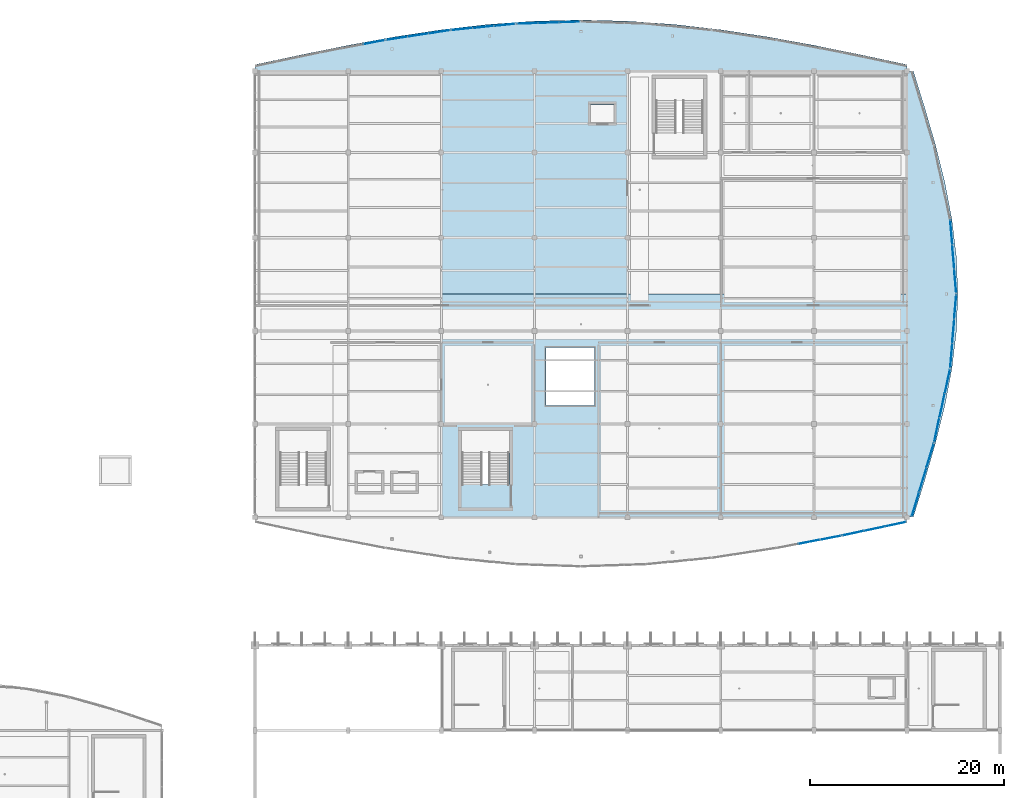
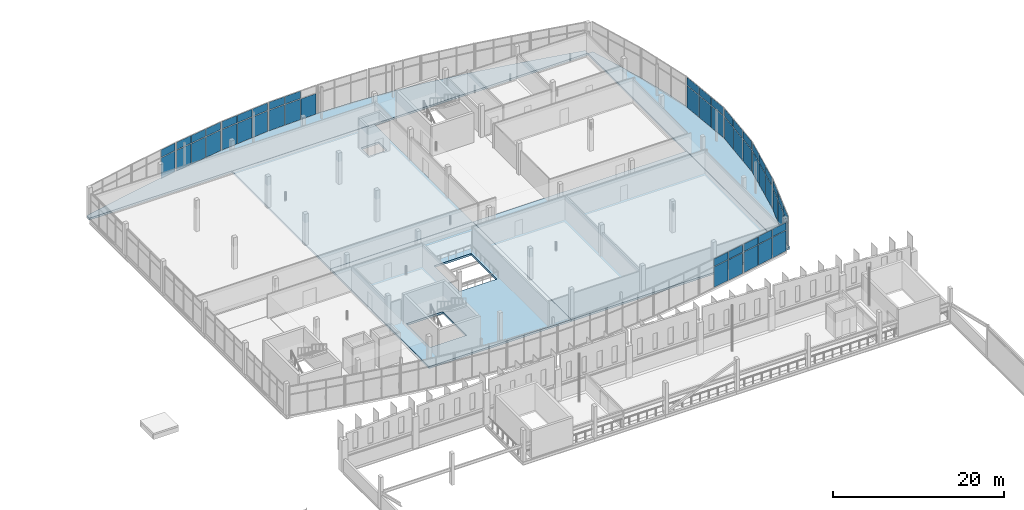
# One storey, part 86 of 114: 53 plates, 5 slabs, 10 elements without a shape of their own.
"""IFC4 building model written with IfcOpenShell, lengths in metres."""

from ifc_helpers import new_model, si_unit, direction, frame, origin, origin_2d, place, context, subcontext, project, spatial, polyline, rectangle, outline, extrude, material, layer, layer_set, type_object, element, aggregate, save


model = new_model("IFC4")

# Units and contexts
model_context = context("Model", 3, precision=1e-05, world=origin(), true_north=direction((0.0, 1.0)))
body_context = subcontext(model_context, "Body", "Model", "MODEL_VIEW")
ifc_project = project(units=[si_unit("LENGTHUNIT", "METRE"), si_unit("AREAUNIT", "SQUARE_METRE"), si_unit("VOLUMEUNIT", "CUBIC_METRE"), si_unit("PLANEANGLEUNIT", "RADIAN"), si_unit("MASSUNIT", "GRAM", prefix="KILO")], contexts=[model_context])

# Site, building, storey
site_placement = place(None, origin())
site = spatial("IfcSite", under=ifc_project, at=site_placement, CompositionType="ELEMENT")
building_placement = place(site_placement, origin())
building = spatial("IfcBuilding", under=site, at=building_placement, Name="Chalmorin Arch Market", CompositionType="ELEMENT")
storey_placement = place(building_placement, frame((0.0, 0.0, 9.60009765625)))
storey = spatial("IfcBuildingStorey", under=building, at=storey_placement, Name="L02", CompositionType="ELEMENT", Elevation=9.60009765625)

# Curtain wall, plate
ifc_material_1 = material(Name="Aluminium 6063-T6", Category="aluminium")
ifc_layer_1 = layer(ifc_material_1, 0.159912109375)
ifc_layer_set_1 = layer_set([ifc_layer_1], Name="Aluminium 6063-T6")
curtain_wall_type_1 = type_object("IfcCurtainWallType", Name="CulinaryStudioCurtainWall-CW3-6660x4220", PredefinedType="NOTDEFINED", material=ifc_layer_set_1)
curtain_wall_1_placement = place(storey_placement, origin())
curtain_wall_1 = element("IfcCurtainWall", 1, at=curtain_wall_1_placement, inside=storey, type_object=curtain_wall_type_1, Name="CW-03-125", PredefinedType="NOTDEFINED")
ifc_material_2 = material(Name="Powder-coated Aluminium Panel", Category="aluminium")
ifc_layer_2 = layer(ifc_material_2, 0.0400390625)
ifc_layer_set_2 = layer_set([ifc_layer_2], Name="Powder-coated Aluminium Panel")
plate_type_1 = type_object("IfcPlateType", Name="ShadowboxSpandrelPanel-40", PredefinedType="CURTAIN_PANEL", material=ifc_layer_set_2)
plate_1_placement = place(storey_placement, frame((60.260986328125, 120.958984375, 3.08349609375), z_axis=(0.0, 0.0, 1.0), x_axis=(0.981627183448, 0.190808995377, 0.0)))
plate_1 = element("IfcPlate", 2, at=plate_1_placement, type_object=plate_type_1, Name="SP-40-125-03B", PredefinedType="CURTAIN_PANEL", context=body_context, shape_type="SweptSolid", body=[
    extrude(rectangle(XDim=2.140380859375, YDim=0.0400390625, at=origin_2d()), origin(), (0.0, 0.0, 1.0), 1.066650390625),
])

# Curtain wall, plates
ifc_layer_3 = layer(ifc_material_1, 0.159912109375)
ifc_layer_set_3 = layer_set([ifc_layer_3], Name="Aluminium 6063-T6")
curtain_wall_type_2 = type_object("IfcCurtainWallType", Name="CulinaryStudioCurtainWall-CW3-6620x4220", PredefinedType="NOTDEFINED", material=ifc_layer_set_3)
curtain_wall_2_placement = place(storey_placement, origin())
curtain_wall_2 = element("IfcCurtainWall", 3, at=curtain_wall_2_placement, inside=storey, type_object=curtain_wall_type_2, Name="CW-03-128", PredefinedType="NOTDEFINED")
plate_2_placement = place(storey_placement, frame((62.619384765625, 121.362548828125, 3.08349609375), z_axis=(0.0, 0.0, 1.0), x_axis=(0.987688340595, 0.15643446504, 0.0)))
plate_2 = element("IfcPlate", 4, at=plate_2_placement, type_object=plate_type_1, Name="SP-40-128-01B", PredefinedType="CURTAIN_PANEL", context=body_context, shape_type="SweptSolid", body=[
    extrude(rectangle(XDim=2.12548828125, YDim=0.0400390625, at=origin_2d()), origin(), (0.0, 0.0, 1.0), 1.066650390625),
])
plate_3_placement = place(storey_placement, frame((64.800048828125, 121.6923828125, 3.08349609375), z_axis=(0.0, 0.0, 1.0), x_axis=(0.987688340595, 0.15643446504, 0.0)))
plate_3 = element("IfcPlate", 5, at=plate_3_placement, type_object=plate_type_1, Name="SP-40-128-02B", PredefinedType="CURTAIN_PANEL", context=body_context, shape_type="SweptSolid", body=[
    extrude(rectangle(XDim=2.12548828125, YDim=0.0400390625, at=origin_2d()), origin(), (0.0, 0.0, 1.0), 1.066650390625),
])
plate_4_placement = place(storey_placement, frame((66.980712890625, 122.0224609375, 3.08349609375), z_axis=(0.0, 0.0, 1.0), x_axis=(0.987688340595, 0.15643446504, 0.0)))
plate_4 = element("IfcPlate", 6, at=plate_4_placement, type_object=plate_type_1, Name="SP-40-128-03B", PredefinedType="CURTAIN_PANEL", context=body_context, shape_type="SweptSolid", body=[
    extrude(rectangle(XDim=2.12548828125, YDim=0.0400390625, at=origin_2d()), origin(), (0.0, 0.0, 1.0), 1.066650390625),
])

ifc_layer_4 = layer(ifc_material_1, 0.159912109375)
ifc_layer_set_4 = layer_set([ifc_layer_4], Name="Aluminium 6063-T6")
curtain_wall_type_3 = type_object("IfcCurtainWallType", Name="CulinaryStudioCurtainWall-CW3-6570x4220", PredefinedType="NOTDEFINED", material=ifc_layer_set_4)
curtain_wall_3_placement = place(storey_placement, origin())
curtain_wall_3 = element("IfcCurtainWall", 7, at=curtain_wall_3_placement, inside=storey, type_object=curtain_wall_type_3, Name="CW-03-131", PredefinedType="NOTDEFINED")
plate_5_placement = place(storey_placement, frame((69.339599609375, 122.31591796875, 3.08349609375), z_axis=(0.0, 0.0, 1.0), x_axis=(0.994521895368, 0.104528463268, 0.0)))
plate_5 = element("IfcPlate", 8, at=plate_5_placement, type_object=plate_type_1, Name="SP-40-131-01B", PredefinedType="CURTAIN_PANEL", context=body_context, shape_type="SweptSolid", body=[
    extrude(rectangle(XDim=2.110595703125, YDim=0.0400390625, at=origin_2d()), origin(), (0.0, 0.0, 1.0), 1.066650390625),
])
plate_6_placement = place(storey_placement, frame((71.52001953125, 122.528076171875, 3.08349609375), z_axis=(0.0, 0.0, 1.0), x_axis=(0.994521895368, 0.104528463268, 0.0)))
plate_6 = element("IfcPlate", 9, at=plate_6_placement, type_object=plate_type_1, Name="SP-40-131-02B", PredefinedType="CURTAIN_PANEL", context=body_context, shape_type="SweptSolid", body=[
    extrude(rectangle(XDim=2.110595703125, YDim=0.0400390625, at=origin_2d()), origin(), (0.0, 0.0, 1.0), 1.066650390625),
])
plate_7_placement = place(storey_placement, frame((73.7001953125, 122.740234375, 3.08349609375), z_axis=(0.0, 0.0, 1.0), x_axis=(0.994521895368, 0.104528463268, 0.0)))
plate_7 = element("IfcPlate", 10, at=plate_7_placement, type_object=plate_type_1, Name="SP-40-131-03B", PredefinedType="CURTAIN_PANEL", context=body_context, shape_type="SweptSolid", body=[
    extrude(rectangle(XDim=2.110595703125, YDim=0.0400390625, at=origin_2d()), origin(), (0.0, 0.0, 1.0), 1.066650390625),
])

ifc_layer_5 = layer(ifc_material_1, 0.159912109375)
ifc_layer_set_5 = layer_set([ifc_layer_5], Name="Aluminium 6063-T6")
curtain_wall_type_4 = type_object("IfcCurtainWallType", Name="CulinaryStudioCurtainWall-CW3-6540x4220", PredefinedType="NOTDEFINED", material=ifc_layer_set_5)
curtain_wall_4_placement = place(storey_placement, origin())
curtain_wall_4 = element("IfcCurtainWall", 11, at=curtain_wall_4_placement, inside=storey, type_object=curtain_wall_type_4, Name="CW-03-134", PredefinedType="NOTDEFINED")
plate_8_placement = place(storey_placement, frame((76.059814453125, 122.89453125, 3.08349609375), z_axis=(0.0, 0.0, 1.0), x_axis=(0.999390827019, 0.034899496703, 0.0)))
plate_8 = element("IfcPlate", 12, at=plate_8_placement, type_object=plate_type_1, Name="SP-40-134-01B", PredefinedType="CURTAIN_PANEL", context=body_context, shape_type="SweptSolid", body=[
    extrude(rectangle(XDim=2.101318359375, YDim=0.0400390625, at=origin_2d()), origin(), (0.0, 0.0, 1.0), 1.066650390625),
])
plate_9_placement = place(storey_placement, frame((78.239990234375, 122.967529296875, 3.08349609375), z_axis=(0.0, 0.0, 1.0), x_axis=(0.999390827019, 0.034899496703, 0.0)))
plate_9 = element("IfcPlate", 13, at=plate_9_placement, type_object=plate_type_1, Name="SP-40-134-02B", PredefinedType="CURTAIN_PANEL", context=body_context, shape_type="SweptSolid", body=[
    extrude(rectangle(XDim=2.101318359375, YDim=0.0400390625, at=origin_2d()), origin(), (0.0, 0.0, 1.0), 1.066650390625),
])

curtain_wall_5_placement = place(storey_placement, origin())
curtain_wall_5 = element("IfcCurtainWall", 14, at=curtain_wall_5_placement, inside=storey, type_object=curtain_wall_type_1, Name="CW-03-175", PredefinedType="NOTDEFINED")
plate_10_placement = place(storey_placement, frame((105.1201171875, 69.45751953125, 3.08349609375), z_axis=(0.0, 0.0, 1.0), x_axis=(0.981627183448, 0.190808995377, 0.0)))
plate_10 = element("IfcPlate", 15, at=plate_10_placement, type_object=plate_type_1, Name="SP-40-175-02B", PredefinedType="CURTAIN_PANEL", context=body_context, shape_type="SweptSolid", body=[
    extrude(rectangle(XDim=2.140380859375, YDim=0.0400390625, at=origin_2d()), origin(), (0.0, 0.0, 1.0), 1.066650390625),
])
plate_11_placement = place(storey_placement, frame((107.301025390625, 69.873779296875, 3.08349609375), z_axis=(0.0, 0.0, 1.0), x_axis=(0.981627183448, 0.190808995377, 0.0)))
plate_11 = element("IfcPlate", 16, at=plate_11_placement, type_object=plate_type_1, Name="SP-40-175-03B", PredefinedType="CURTAIN_PANEL", context=body_context, shape_type="SweptSolid", body=[
    extrude(rectangle(XDim=2.140380859375, YDim=0.0400390625, at=origin_2d()), origin(), (0.0, 0.0, 1.0), 1.066650390625),
])

ifc_layer_6 = layer(ifc_material_1, 0.159912109375)
ifc_layer_set_6 = layer_set([ifc_layer_6], Name="Aluminium 6063-T6")
curtain_wall_type_5 = type_object("IfcCurtainWallType", Name="CulinaryStudioCurtainWall-CW3-6690x4220", PredefinedType="NOTDEFINED", material=ifc_layer_set_6)
curtain_wall_6_placement = place(storey_placement, origin())
curtain_wall_6 = element("IfcCurtainWall", 17, at=curtain_wall_6_placement, inside=storey, type_object=curtain_wall_type_5, Name="CW-03-178", PredefinedType="NOTDEFINED")
plate_12_placement = place(storey_placement, frame((109.65869140625, 70.34814453125, 3.08349609375), z_axis=(0.0, 0.0, 1.0), x_axis=(0.978147600734, 0.207911690818, 0.0)))
plate_12 = element("IfcPlate", 18, at=plate_12_placement, type_object=plate_type_1, Name="SP-40-178-01B", PredefinedType="CURTAIN_PANEL", context=body_context, shape_type="SweptSolid", body=[
    extrude(rectangle(XDim=2.1494140625, YDim=0.0400390625, at=origin_2d()), origin(), (0.0, 0.0, 1.0), 1.066650390625),
])
plate_13_placement = place(storey_placement, frame((111.840087890625, 70.8095703125, 3.08349609375), z_axis=(0.0, 0.0, 1.0), x_axis=(0.978147600734, 0.207911690818, 0.0)))
plate_13 = element("IfcPlate", 19, at=plate_13_placement, type_object=plate_type_1, Name="SP-40-178-02B", PredefinedType="CURTAIN_PANEL", context=body_context, shape_type="SweptSolid", body=[
    extrude(rectangle(XDim=2.1494140625, YDim=0.0400390625, at=origin_2d()), origin(), (0.0, 0.0, 1.0), 1.066650390625),
])
plate_14_placement = place(storey_placement, frame((114.021240234375, 71.270751953125, 3.08349609375), z_axis=(0.0, 0.0, 1.0), x_axis=(0.978147600734, 0.207911690818, 0.0)))
plate_14 = element("IfcPlate", 20, at=plate_14_placement, type_object=plate_type_1, Name="SP-40-178-03B", PredefinedType="CURTAIN_PANEL", context=body_context, shape_type="SweptSolid", body=[
    extrude(rectangle(XDim=2.1494140625, YDim=0.0400390625, at=origin_2d()), origin(), (0.0, 0.0, 1.0), 1.066650390625),
])

ifc_layer_7 = layer(ifc_material_1, 0.159912109375)
ifc_layer_set_7 = layer_set([ifc_layer_7], Name="Aluminium 6063-T6")
curtain_wall_type_6 = type_object("IfcCurtainWallType", Name="CulinaryStudioCurtainWall-CW3-7820x4450", PredefinedType="NOTDEFINED", material=ifc_layer_set_7)
curtain_wall_7_placement = place(storey_placement, origin())
curtain_wall_7 = element("IfcCurtainWall", 21, at=curtain_wall_7_placement, inside=storey, type_object=curtain_wall_type_6, Name="CW-03-180", PredefinedType="NOTDEFINED")
plate_15_placement = place(storey_placement, frame((116.08056640625, 73.335205078125, 3.2490234375), z_axis=(0.0, 0.0, 1.0), x_axis=(0.292371704723, 0.956304755963, 0.0)))
plate_15 = element("IfcPlate", 22, at=plate_15_placement, type_object=plate_type_1, Name="SP-40-180-01B", PredefinedType="CURTAIN_PANEL", context=body_context, shape_type="SweptSolid", body=[
    extrude(rectangle(XDim=2.5283203125, YDim=0.0400390625, at=origin_2d()), origin(), (0.0, 0.0, 1.0), 1.131103515625),
])
plate_16_placement = place(storey_placement, frame((116.830078125, 75.83349609375, 3.2490234375), z_axis=(0.0, 0.0, 1.0), x_axis=(0.292371704723, 0.956304755963, 0.0)))
plate_16 = element("IfcPlate", 23, at=plate_16_placement, type_object=plate_type_1, Name="SP-40-180-02B", PredefinedType="CURTAIN_PANEL", context=body_context, shape_type="SweptSolid", body=[
    extrude(rectangle(XDim=2.5283203125, YDim=0.0400390625, at=origin_2d()), origin(), (0.0, 0.0, 1.0), 1.131103515625),
])
plate_17_placement = place(storey_placement, frame((117.579345703125, 78.331787109375, 3.2490234375), z_axis=(0.0, 0.0, 1.0), x_axis=(0.292371704723, 0.956304755963, 0.0)))
plate_17 = element("IfcPlate", 24, at=plate_17_placement, type_object=plate_type_1, Name="SP-40-180-03B", PredefinedType="CURTAIN_PANEL", context=body_context, shape_type="SweptSolid", body=[
    extrude(rectangle(XDim=2.5283203125, YDim=0.0400390625, at=origin_2d()), origin(), (0.0, 0.0, 1.0), 1.131103515625),
])

ifc_layer_8 = layer(ifc_material_1, 0.159912109375)
ifc_layer_set_8 = layer_set([ifc_layer_8], Name="Aluminium 6063-T6")
curtain_wall_type_7 = type_object("IfcCurtainWallType", Name="CulinaryStudioCurtainWall-CW3-7670x4450", PredefinedType="NOTDEFINED", material=ifc_layer_set_8)
curtain_wall_8_placement = place(storey_placement, origin())
curtain_wall_8 = element("IfcCurtainWall", 25, at=curtain_wall_8_placement, inside=storey, type_object=curtain_wall_type_7, Name="CW-03-182", PredefinedType="NOTDEFINED")
plate_18_placement = place(storey_placement, frame((118.2734375, 81.00341796875, 3.2490234375), z_axis=(0.0, 0.0, 1.0), x_axis=(0.207911690818, 0.978147600734, 0.0)))
plate_18 = element("IfcPlate", 26, at=plate_18_placement, type_object=plate_type_1, Name="SP-40-182-01B", PredefinedType="CURTAIN_PANEL", context=body_context, shape_type="SweptSolid", body=[
    extrude(rectangle(XDim=2.476318359375, YDim=0.0400390625, at=origin_2d()), origin(), (0.0, 0.0, 1.0), 1.131103515625),
])
plate_19_placement = place(storey_placement, frame((118.822021484375, 83.5, 3.2490234375), z_axis=(0.0, 0.0, 1.0), x_axis=(0.207911690818, 0.978147600734, 0.0)))
plate_19 = element("IfcPlate", 27, at=plate_19_placement, type_object=plate_type_1, Name="SP-40-182-02B", PredefinedType="CURTAIN_PANEL", context=body_context, shape_type="SweptSolid", body=[
    extrude(rectangle(XDim=2.476318359375, YDim=0.0400390625, at=origin_2d()), origin(), (0.0, 0.0, 1.0), 1.131103515625),
])
plate_20_placement = place(storey_placement, frame((119.37060546875, 85.99658203125, 3.2490234375), z_axis=(0.0, 0.0, 1.0), x_axis=(0.207911690818, 0.978147600734, 0.0)))
plate_20 = element("IfcPlate", 28, at=plate_20_placement, type_object=plate_type_1, Name="SP-40-182-03B", PredefinedType="CURTAIN_PANEL", context=body_context, shape_type="SweptSolid", body=[
    extrude(rectangle(XDim=2.476318359375, YDim=0.0400390625, at=origin_2d()), origin(), (0.0, 0.0, 1.0), 1.131103515625),
])

ifc_layer_9 = layer(ifc_material_1, 0.159912109375)
ifc_layer_set_9 = layer_set([ifc_layer_9], Name="Aluminium 6063-T6")
curtain_wall_type_8 = type_object("IfcCurtainWallType", Name="CulinaryStudioCurtainWall-CW3-7510x4450", PredefinedType="NOTDEFINED", material=ifc_layer_set_9)
curtain_wall_9_placement = place(storey_placement, origin())
curtain_wall_9 = element("IfcCurtainWall", 29, at=curtain_wall_9_placement, inside=storey, type_object=curtain_wall_type_8, Name="CW-03-184", PredefinedType="NOTDEFINED")
plate_21_placement = place(storey_placement, frame((119.771484375, 88.670654296875, 3.2490234375), z_axis=(0.0, 0.0, 1.0), x_axis=(0.087155742748, 0.996194698092, 0.0)))
plate_21 = element("IfcPlate", 30, at=plate_21_placement, type_object=plate_type_1, Name="SP-40-184-01B", PredefinedType="CURTAIN_PANEL", context=body_context, shape_type="SweptSolid", body=[
    extrude(rectangle(XDim=2.423828125, YDim=0.0400390625, at=origin_2d()), origin(), (0.0, 0.0, 1.0), 1.131103515625),
])
plate_22_placement = place(storey_placement, frame((119.971923828125, 91.16650390625, 3.2490234375), z_axis=(0.0, 0.0, 1.0), x_axis=(0.087155742748, 0.996194698092, 0.0)))
plate_22 = element("IfcPlate", 31, at=plate_22_placement, type_object=plate_type_1, Name="SP-40-184-02B", PredefinedType="CURTAIN_PANEL", context=body_context, shape_type="SweptSolid", body=[
    extrude(rectangle(XDim=2.423828125, YDim=0.0400390625, at=origin_2d()), origin(), (0.0, 0.0, 1.0), 1.131103515625),
])
plate_23_placement = place(storey_placement, frame((120.172607421875, 93.662353515625, 3.2490234375), z_axis=(0.0, 0.0, 1.0), x_axis=(0.087155742748, 0.996194698092, 0.0)))
plate_23 = element("IfcPlate", 32, at=plate_23_placement, type_object=plate_type_1, Name="SP-40-184-03B", PredefinedType="CURTAIN_PANEL", context=body_context, shape_type="SweptSolid", body=[
    extrude(rectangle(XDim=2.423828125, YDim=0.0400390625, at=origin_2d()), origin(), (0.0, 0.0, 1.0), 1.131103515625),
])

curtain_wall_10_placement = place(storey_placement, origin())
curtain_wall_10 = element("IfcCurtainWall", 33, at=curtain_wall_10_placement, inside=storey, type_object=curtain_wall_type_8, Name="CW-03-186", PredefinedType="NOTDEFINED")
plate_24_placement = place(storey_placement, frame((120.172607421875, 96.337646484375, 3.2490234375), z_axis=(0.0, 0.0, 1.0), x_axis=(-0.087155742748, 0.996194698092, 0.0)))
plate_24 = element("IfcPlate", 34, at=plate_24_placement, type_object=plate_type_1, Name="SP-40-186-01B", PredefinedType="CURTAIN_PANEL", context=body_context, shape_type="SweptSolid", body=[
    extrude(rectangle(XDim=2.423828125, YDim=0.0400390625, at=origin_2d()), origin(), (0.0, 0.0, 1.0), 1.131103515625),
])
plate_25_placement = place(storey_placement, frame((119.971923828125, 98.83349609375, 3.2490234375), z_axis=(0.0, 0.0, 1.0), x_axis=(-0.087155742748, 0.996194698092, 0.0)))
plate_25 = element("IfcPlate", 35, at=plate_25_placement, type_object=plate_type_1, Name="SP-40-186-02B", PredefinedType="CURTAIN_PANEL", context=body_context, shape_type="SweptSolid", body=[
    extrude(rectangle(XDim=2.423828125, YDim=0.0400390625, at=origin_2d()), origin(), (0.0, 0.0, 1.0), 1.131103515625),
])
plate_26_placement = place(storey_placement, frame((119.771484375, 101.329345703125, 3.2490234375), z_axis=(0.0, 0.0, 1.0), x_axis=(-0.087155742748, 0.996194698092, 0.0)))
plate_26 = element("IfcPlate", 36, at=plate_26_placement, type_object=plate_type_1, Name="SP-40-186-03B", PredefinedType="CURTAIN_PANEL", context=body_context, shape_type="SweptSolid", body=[
    extrude(rectangle(XDim=2.423828125, YDim=0.0400390625, at=origin_2d()), origin(), (0.0, 0.0, 1.0), 1.131103515625),
])

# Slabs
ifc_material_3 = material(Name="Concrete C40/50", Category="concrete")
ifc_layer_10 = layer(ifc_material_3, 0.280029296875)
ifc_layer_set_10 = layer_set([ifc_layer_10], Name="Concrete C40/50")
slab_type = type_object("IfcSlabType", Name="SuspendedFloorSlab-280", PredefinedType="FLOOR", material=ifc_layer_set_10)
slab_1_placement = place(storey_placement, frame((0.0, 0.0, -0.280029296875)))
element("IfcSlab", 37, at=slab_1_placement, inside=storey, type_object=slab_type, Name="FS-280-116", PredefinedType="FLOOR", context=body_context, shape_type="SweptSolid", body=[
    extrude(outline(polyline([(67.2099609375, 72.0), (86.389892578125, 72.0), (86.389892578125, 94.989990234375), (67.2099609375, 94.989990234375), (67.2099609375, 72.0)]), holes=[polyline([(69.300048828125, 75.35009765625), (74.199951171875, 75.35009765625), (74.199951171875, 80.89990234375), (69.300048828125, 80.89990234375), (69.300048828125, 75.35009765625)]), polyline([(78.0, 83.5), (83.0, 83.5), (83.0, 89.5), (78.0, 89.5), (78.0, 83.5)])]), origin(), (0.0, 0.0, 1.0), 0.280029296875),
])
slab_2_placement = place(storey_placement, frame((0.0, 0.0, -0.280029296875)))
element("IfcSlab", 38, at=slab_2_placement, inside=storey, type_object=slab_type, Name="FS-280-117", PredefinedType="FLOOR", context=body_context, shape_type="SweptSolid", body=[
    extrude(outline(polyline([(67.2099609375, 95.010009765625), (86.389892578125, 95.010009765625), (86.389892578125, 118.0), (67.2099609375, 118.0), (67.2099609375, 95.010009765625)]), holes=[polyline([(82.60009765625, 112.64990234375), (85.0, 112.64990234375), (85.0, 114.550048828125), (82.60009765625, 114.550048828125), (82.60009765625, 112.64990234375)])]), origin(), (0.0, 0.0, 1.0), 0.280029296875),
])
slab_3_placement = place(storey_placement, frame((0.0, 0.0, -0.280029296875)))
element("IfcSlab", 39, at=slab_3_placement, inside=storey, type_object=slab_type, Name="FS-280-118", PredefinedType="FLOOR", context=body_context, shape_type="SweptSolid", body=[
    extrude(outline(polyline([(86.409912109375, 72.0), (115.18994140625, 72.0), (115.18994140625, 94.989990234375), (86.409912109375, 94.989990234375), (86.409912109375, 72.0)])), origin(), (0.0, 0.0, 1.0), 0.280029296875),
])
slab_4_placement = place(storey_placement, frame((0.0, 0.0, -0.280029296875)))
element("IfcSlab", 40, at=slab_4_placement, inside=storey, type_object=slab_type, Name="FS-280-137", PredefinedType="FLOOR", context=body_context, shape_type="SweptSolid", body=[
    extrude(outline(polyline([(48.0, 118.02001953125), (48.0, 118.64990234375), (52.800048828125, 119.674072265625), (57.60009765625, 120.64599609375), (62.39990234375, 121.51806640625), (67.199951171875, 122.24609375), (72.0, 122.7939453125), (76.800048828125, 123.135009765625), (81.60009765625, 123.25), (86.39990234375, 123.135009765625), (91.199951171875, 122.7939453125), (96.0, 122.24609375), (100.800048828125, 121.51806640625), (105.60009765625, 120.64599609375), (110.39990234375, 119.674072265625), (115.199951171875, 118.64990234375), (115.199951171875, 118.02001953125), (48.0, 118.02001953125)])), origin(), (0.0, 0.0, 1.0), 0.280029296875),
])
slab_5_placement = place(storey_placement, frame((0.0, 0.0, -0.280029296875)))
element("IfcSlab", 41, at=slab_5_placement, inside=storey, type_object=slab_type, Name="FS-280-139", PredefinedType="FLOOR", context=body_context, shape_type="SweptSolid", body=[
    extrude(outline(polyline([(115.219970703125, 72.0), (115.85009765625, 72.0), (117.041015625, 75.8330078125), (118.14990234375, 79.6669921875), (119.10302734375, 83.5), (119.833984375, 87.3330078125), (120.29296875, 91.1669921875), (120.449951171875, 95.0), (120.29296875, 98.8330078125), (119.833984375, 102.6669921875), (119.10302734375, 106.5), (118.14990234375, 110.3330078125), (117.041015625, 114.1669921875), (115.85009765625, 118.0), (115.219970703125, 118.0), (115.219970703125, 72.0)])), origin(), (0.0, 0.0, 1.0), 0.280029296875),
])

# Plate
ifc_material_4 = material(Name="Low-E Tempered Glass", Category="glass")
ifc_layer_11 = layer(ifc_material_4, 0.028076171875)
ifc_layer_set_11 = layer_set([ifc_layer_11], Name="Low-E Tempered Glass")
plate_type_2 = type_object("IfcPlateType", Name="VisionIGUPanel-28", PredefinedType="CURTAIN_PANEL", material=ifc_layer_set_11)
plate_27_placement = place(storey_placement, frame((60.260986328125, 120.958984375, 0.06982421875), z_axis=(0.0, 0.0, 1.0), x_axis=(0.981627183448, 0.190808995377, 0.0)))
plate_27 = element("IfcPlate", 42, at=plate_27_placement, type_object=plate_type_2, Name="GL-28-125-03A", PredefinedType="CURTAIN_PANEL", context=body_context, shape_type="SweptSolid", body=[
    extrude(rectangle(XDim=2.140380859375, YDim=0.028076171875, at=origin_2d()), origin(), (0.0, 0.0, 1.0), 2.92333984375),
])

aggregate(curtain_wall_1, [plate_27, plate_1])

plate_28_placement = place(storey_placement, frame((62.619384765625, 121.362548828125, 0.06982421875), z_axis=(0.0, 0.0, 1.0), x_axis=(0.987688340595, 0.15643446504, 0.0)))
plate_28 = element("IfcPlate", 43, at=plate_28_placement, type_object=plate_type_2, Name="GL-28-128-01A", PredefinedType="CURTAIN_PANEL", context=body_context, shape_type="SweptSolid", body=[
    extrude(rectangle(XDim=2.12548828125, YDim=0.028076171875, at=origin_2d()), origin(), (0.0, 0.0, 1.0), 2.92333984375),
])

plate_29_placement = place(storey_placement, frame((64.800048828125, 121.6923828125, 0.06982421875), z_axis=(0.0, 0.0, 1.0), x_axis=(0.987688340595, 0.15643446504, 0.0)))
plate_29 = element("IfcPlate", 44, at=plate_29_placement, type_object=plate_type_2, Name="GL-28-128-02A", PredefinedType="CURTAIN_PANEL", context=body_context, shape_type="SweptSolid", body=[
    extrude(rectangle(XDim=2.12548828125, YDim=0.028076171875, at=origin_2d()), origin(), (0.0, 0.0, 1.0), 2.92333984375),
])

plate_30_placement = place(storey_placement, frame((66.980712890625, 122.0224609375, 0.06982421875), z_axis=(0.0, 0.0, 1.0), x_axis=(0.987688340595, 0.15643446504, 0.0)))
plate_30 = element("IfcPlate", 45, at=plate_30_placement, type_object=plate_type_2, Name="GL-28-128-03A", PredefinedType="CURTAIN_PANEL", context=body_context, shape_type="SweptSolid", body=[
    extrude(rectangle(XDim=2.12548828125, YDim=0.028076171875, at=origin_2d()), origin(), (0.0, 0.0, 1.0), 2.92333984375),
])

aggregate(curtain_wall_2, [plate_28, plate_2, plate_29, plate_3, plate_30, plate_4])

plate_31_placement = place(storey_placement, frame((69.339599609375, 122.31591796875, 0.06982421875), z_axis=(0.0, 0.0, 1.0), x_axis=(0.994521895368, 0.104528463268, 0.0)))
plate_31 = element("IfcPlate", 46, at=plate_31_placement, type_object=plate_type_2, Name="GL-28-131-01A", PredefinedType="CURTAIN_PANEL", context=body_context, shape_type="SweptSolid", body=[
    extrude(rectangle(XDim=2.110595703125, YDim=0.028076171875, at=origin_2d()), origin(), (0.0, 0.0, 1.0), 2.92333984375),
])

plate_32_placement = place(storey_placement, frame((71.52001953125, 122.528076171875, 0.06982421875), z_axis=(0.0, 0.0, 1.0), x_axis=(0.994521895368, 0.104528463268, 0.0)))
plate_32 = element("IfcPlate", 47, at=plate_32_placement, type_object=plate_type_2, Name="GL-28-131-02A", PredefinedType="CURTAIN_PANEL", context=body_context, shape_type="SweptSolid", body=[
    extrude(rectangle(XDim=2.110595703125, YDim=0.028076171875, at=origin_2d()), origin(), (0.0, 0.0, 1.0), 2.92333984375),
])

plate_33_placement = place(storey_placement, frame((73.7001953125, 122.740234375, 0.06982421875), z_axis=(0.0, 0.0, 1.0), x_axis=(0.994521895368, 0.104528463268, 0.0)))
plate_33 = element("IfcPlate", 48, at=plate_33_placement, type_object=plate_type_2, Name="GL-28-131-03A", PredefinedType="CURTAIN_PANEL", context=body_context, shape_type="SweptSolid", body=[
    extrude(rectangle(XDim=2.110595703125, YDim=0.028076171875, at=origin_2d()), origin(), (0.0, 0.0, 1.0), 2.92333984375),
])

aggregate(curtain_wall_3, [plate_31, plate_5, plate_32, plate_6, plate_33, plate_7])

plate_34_placement = place(storey_placement, frame((76.059814453125, 122.89453125, 0.06982421875), z_axis=(0.0, 0.0, 1.0), x_axis=(0.999390827019, 0.034899496703, 0.0)))
plate_34 = element("IfcPlate", 49, at=plate_34_placement, type_object=plate_type_2, Name="GL-28-134-01A", PredefinedType="CURTAIN_PANEL", context=body_context, shape_type="SweptSolid", body=[
    extrude(rectangle(XDim=2.101318359375, YDim=0.028076171875, at=origin_2d()), origin(), (0.0, 0.0, 1.0), 2.92333984375),
])

plate_35_placement = place(storey_placement, frame((78.239990234375, 122.967529296875, 0.06982421875), z_axis=(0.0, 0.0, 1.0), x_axis=(0.999390827019, 0.034899496703, 0.0)))
plate_35 = element("IfcPlate", 50, at=plate_35_placement, type_object=plate_type_2, Name="GL-28-134-02A", PredefinedType="CURTAIN_PANEL", context=body_context, shape_type="SweptSolid", body=[
    extrude(rectangle(XDim=2.101318359375, YDim=0.028076171875, at=origin_2d()), origin(), (0.0, 0.0, 1.0), 2.92333984375),
])

plate_36_placement = place(storey_placement, frame((80.420166015625, 123.04052734375, 0.06982421875), z_axis=(0.0, 0.0, 1.0), x_axis=(0.999390827019, 0.034899496703, 0.0)))
plate_36 = element("IfcPlate", 51, at=plate_36_placement, type_object=plate_type_2, Name="GL-28-134-03A", PredefinedType="CURTAIN_PANEL", context=body_context, shape_type="SweptSolid", body=[
    extrude(rectangle(XDim=2.101318359375, YDim=0.028076171875, at=origin_2d()), origin(), (0.0, 0.0, 1.0), 2.92333984375),
])

aggregate(curtain_wall_4, [plate_34, plate_8, plate_35, plate_9, plate_36])

plate_37_placement = place(storey_placement, frame((105.1201171875, 69.45751953125, 0.06982421875), z_axis=(0.0, 0.0, 1.0), x_axis=(0.981627183448, 0.190808995377, 0.0)))
plate_37 = element("IfcPlate", 52, at=plate_37_placement, type_object=plate_type_2, Name="GL-28-175-02A", PredefinedType="CURTAIN_PANEL", context=body_context, shape_type="SweptSolid", body=[
    extrude(rectangle(XDim=2.140380859375, YDim=0.028076171875, at=origin_2d()), origin(), (0.0, 0.0, 1.0), 2.92333984375),
])

plate_38_placement = place(storey_placement, frame((107.301025390625, 69.873779296875, 0.06982421875), z_axis=(0.0, 0.0, 1.0), x_axis=(0.981627183448, 0.190808995377, 0.0)))
plate_38 = element("IfcPlate", 53, at=plate_38_placement, type_object=plate_type_2, Name="GL-28-175-03A", PredefinedType="CURTAIN_PANEL", context=body_context, shape_type="SweptSolid", body=[
    extrude(rectangle(XDim=2.140380859375, YDim=0.028076171875, at=origin_2d()), origin(), (0.0, 0.0, 1.0), 2.92333984375),
])

aggregate(curtain_wall_5, [plate_37, plate_10, plate_38, plate_11])

plate_39_placement = place(storey_placement, frame((109.65869140625, 70.34814453125, 0.06982421875), z_axis=(0.0, 0.0, 1.0), x_axis=(0.978147600734, 0.207911690818, 0.0)))
plate_39 = element("IfcPlate", 54, at=plate_39_placement, type_object=plate_type_2, Name="GL-28-178-01A", PredefinedType="CURTAIN_PANEL", context=body_context, shape_type="SweptSolid", body=[
    extrude(rectangle(XDim=2.1494140625, YDim=0.028076171875, at=origin_2d()), origin(), (0.0, 0.0, 1.0), 2.92333984375),
])

plate_40_placement = place(storey_placement, frame((111.840087890625, 70.8095703125, 0.06982421875), z_axis=(0.0, 0.0, 1.0), x_axis=(0.978147600734, 0.207911690818, 0.0)))
plate_40 = element("IfcPlate", 55, at=plate_40_placement, type_object=plate_type_2, Name="GL-28-178-02A", PredefinedType="CURTAIN_PANEL", context=body_context, shape_type="SweptSolid", body=[
    extrude(rectangle(XDim=2.1494140625, YDim=0.028076171875, at=origin_2d()), origin(), (0.0, 0.0, 1.0), 2.92333984375),
])

plate_41_placement = place(storey_placement, frame((114.021240234375, 71.270751953125, 0.06982421875), z_axis=(0.0, 0.0, 1.0), x_axis=(0.978147600734, 0.207911690818, 0.0)))
plate_41 = element("IfcPlate", 56, at=plate_41_placement, type_object=plate_type_2, Name="GL-28-178-03A", PredefinedType="CURTAIN_PANEL", context=body_context, shape_type="SweptSolid", body=[
    extrude(rectangle(XDim=2.1494140625, YDim=0.028076171875, at=origin_2d()), origin(), (0.0, 0.0, 1.0), 2.92333984375),
])

aggregate(curtain_wall_6, [plate_39, plate_12, plate_40, plate_13, plate_41, plate_14])

plate_42_placement = place(storey_placement, frame((116.08056640625, 73.335205078125, 0.06982421875), z_axis=(0.0, 0.0, 1.0), x_axis=(0.292371704723, 0.956304755963, 0.0)))
plate_42 = element("IfcPlate", 57, at=plate_42_placement, type_object=plate_type_2, Name="GL-28-180-01A", PredefinedType="CURTAIN_PANEL", context=body_context, shape_type="SweptSolid", body=[
    extrude(rectangle(XDim=2.5283203125, YDim=0.028076171875, at=origin_2d()), origin(), (0.0, 0.0, 1.0), 3.089111328125),
])

plate_43_placement = place(storey_placement, frame((116.830078125, 75.83349609375, 0.06982421875), z_axis=(0.0, 0.0, 1.0), x_axis=(0.292371704723, 0.956304755963, 0.0)))
plate_43 = element("IfcPlate", 58, at=plate_43_placement, type_object=plate_type_2, Name="GL-28-180-02A", PredefinedType="CURTAIN_PANEL", context=body_context, shape_type="SweptSolid", body=[
    extrude(rectangle(XDim=2.5283203125, YDim=0.028076171875, at=origin_2d()), origin(), (0.0, 0.0, 1.0), 3.089111328125),
])

plate_44_placement = place(storey_placement, frame((117.579345703125, 78.331787109375, 0.06982421875), z_axis=(0.0, 0.0, 1.0), x_axis=(0.292371704723, 0.956304755963, 0.0)))
plate_44 = element("IfcPlate", 59, at=plate_44_placement, type_object=plate_type_2, Name="GL-28-180-03A", PredefinedType="CURTAIN_PANEL", context=body_context, shape_type="SweptSolid", body=[
    extrude(rectangle(XDim=2.5283203125, YDim=0.028076171875, at=origin_2d()), origin(), (0.0, 0.0, 1.0), 3.089111328125),
])

aggregate(curtain_wall_7, [plate_42, plate_15, plate_43, plate_16, plate_44, plate_17])

plate_45_placement = place(storey_placement, frame((118.2734375, 81.00341796875, 0.06982421875), z_axis=(0.0, 0.0, 1.0), x_axis=(0.207911690818, 0.978147600734, 0.0)))
plate_45 = element("IfcPlate", 60, at=plate_45_placement, type_object=plate_type_2, Name="GL-28-182-01A", PredefinedType="CURTAIN_PANEL", context=body_context, shape_type="SweptSolid", body=[
    extrude(rectangle(XDim=2.476318359375, YDim=0.028076171875, at=origin_2d()), origin(), (0.0, 0.0, 1.0), 3.089111328125),
])

plate_46_placement = place(storey_placement, frame((118.822021484375, 83.5, 0.06982421875), z_axis=(0.0, 0.0, 1.0), x_axis=(0.207911690818, 0.978147600734, 0.0)))
plate_46 = element("IfcPlate", 61, at=plate_46_placement, type_object=plate_type_2, Name="GL-28-182-02A", PredefinedType="CURTAIN_PANEL", context=body_context, shape_type="SweptSolid", body=[
    extrude(rectangle(XDim=2.476318359375, YDim=0.028076171875, at=origin_2d()), origin(), (0.0, 0.0, 1.0), 3.089111328125),
])

plate_47_placement = place(storey_placement, frame((119.37060546875, 85.99658203125, 0.06982421875), z_axis=(0.0, 0.0, 1.0), x_axis=(0.207911690818, 0.978147600734, 0.0)))
plate_47 = element("IfcPlate", 62, at=plate_47_placement, type_object=plate_type_2, Name="GL-28-182-03A", PredefinedType="CURTAIN_PANEL", context=body_context, shape_type="SweptSolid", body=[
    extrude(rectangle(XDim=2.476318359375, YDim=0.028076171875, at=origin_2d()), origin(), (0.0, 0.0, 1.0), 3.089111328125),
])

aggregate(curtain_wall_8, [plate_45, plate_18, plate_46, plate_19, plate_47, plate_20])

plate_48_placement = place(storey_placement, frame((119.771484375, 88.670654296875, 0.06982421875), z_axis=(0.0, 0.0, 1.0), x_axis=(0.087155742748, 0.996194698092, 0.0)))
plate_48 = element("IfcPlate", 63, at=plate_48_placement, type_object=plate_type_2, Name="GL-28-184-01A", PredefinedType="CURTAIN_PANEL", context=body_context, shape_type="SweptSolid", body=[
    extrude(rectangle(XDim=2.423828125, YDim=0.028076171875, at=origin_2d()), origin(), (0.0, 0.0, 1.0), 3.089111328125),
])

plate_49_placement = place(storey_placement, frame((119.971923828125, 91.16650390625, 0.06982421875), z_axis=(0.0, 0.0, 1.0), x_axis=(0.087155742748, 0.996194698092, 0.0)))
plate_49 = element("IfcPlate", 64, at=plate_49_placement, type_object=plate_type_2, Name="GL-28-184-02A", PredefinedType="CURTAIN_PANEL", context=body_context, shape_type="SweptSolid", body=[
    extrude(rectangle(XDim=2.423828125, YDim=0.028076171875, at=origin_2d()), origin(), (0.0, 0.0, 1.0), 3.089111328125),
])

plate_50_placement = place(storey_placement, frame((120.172607421875, 93.662353515625, 0.06982421875), z_axis=(0.0, 0.0, 1.0), x_axis=(0.087155742748, 0.996194698092, 0.0)))
plate_50 = element("IfcPlate", 65, at=plate_50_placement, type_object=plate_type_2, Name="GL-28-184-03A", PredefinedType="CURTAIN_PANEL", context=body_context, shape_type="SweptSolid", body=[
    extrude(rectangle(XDim=2.423828125, YDim=0.028076171875, at=origin_2d()), origin(), (0.0, 0.0, 1.0), 3.089111328125),
])

aggregate(curtain_wall_9, [plate_48, plate_21, plate_49, plate_22, plate_50, plate_23])

plate_51_placement = place(storey_placement, frame((120.172607421875, 96.337646484375, 0.06982421875), z_axis=(0.0, 0.0, 1.0), x_axis=(-0.087155742748, 0.996194698092, 0.0)))
plate_51 = element("IfcPlate", 66, at=plate_51_placement, type_object=plate_type_2, Name="GL-28-186-01A", PredefinedType="CURTAIN_PANEL", context=body_context, shape_type="SweptSolid", body=[
    extrude(rectangle(XDim=2.423828125, YDim=0.028076171875, at=origin_2d()), origin(), (0.0, 0.0, 1.0), 3.089111328125),
])

plate_52_placement = place(storey_placement, frame((119.971923828125, 98.83349609375, 0.06982421875), z_axis=(0.0, 0.0, 1.0), x_axis=(-0.087155742748, 0.996194698092, 0.0)))
plate_52 = element("IfcPlate", 67, at=plate_52_placement, type_object=plate_type_2, Name="GL-28-186-02A", PredefinedType="CURTAIN_PANEL", context=body_context, shape_type="SweptSolid", body=[
    extrude(rectangle(XDim=2.423828125, YDim=0.028076171875, at=origin_2d()), origin(), (0.0, 0.0, 1.0), 3.089111328125),
])

plate_53_placement = place(storey_placement, frame((119.771484375, 101.329345703125, 0.06982421875), z_axis=(0.0, 0.0, 1.0), x_axis=(-0.087155742748, 0.996194698092, 0.0)))
plate_53 = element("IfcPlate", 68, at=plate_53_placement, type_object=plate_type_2, Name="GL-28-186-03A", PredefinedType="CURTAIN_PANEL", context=body_context, shape_type="SweptSolid", body=[
    extrude(rectangle(XDim=2.423828125, YDim=0.028076171875, at=origin_2d()), origin(), (0.0, 0.0, 1.0), 3.089111328125),
])

aggregate(curtain_wall_10, [plate_51, plate_24, plate_52, plate_25, plate_53, plate_26])

save(model, "model.ifc")
